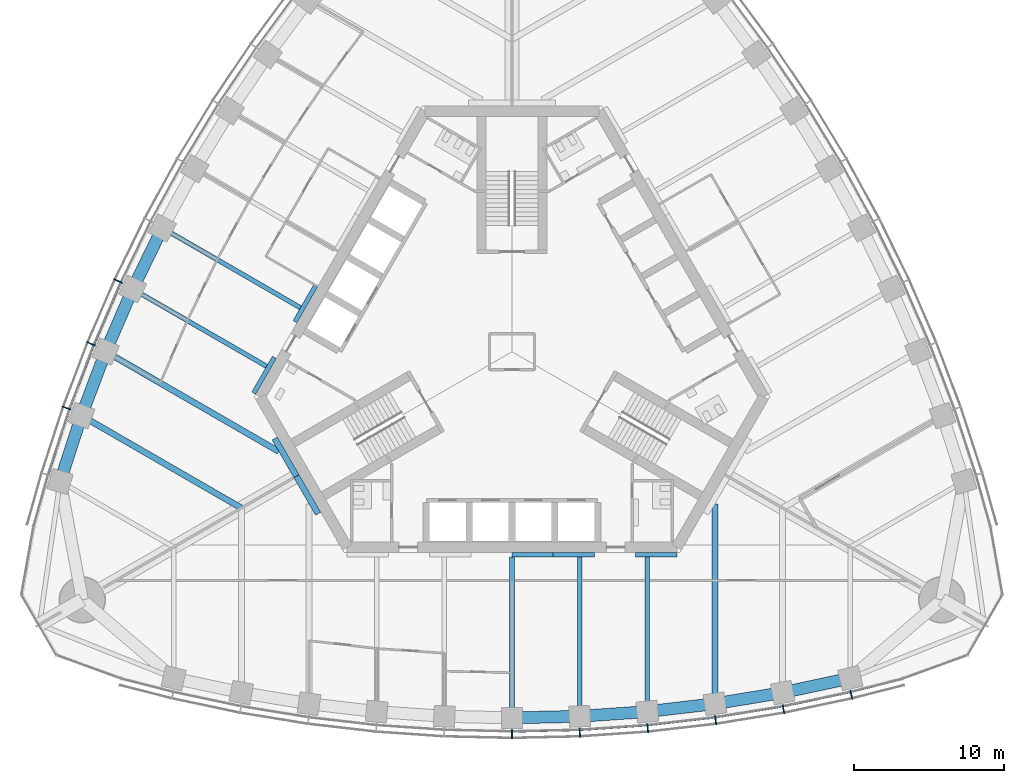
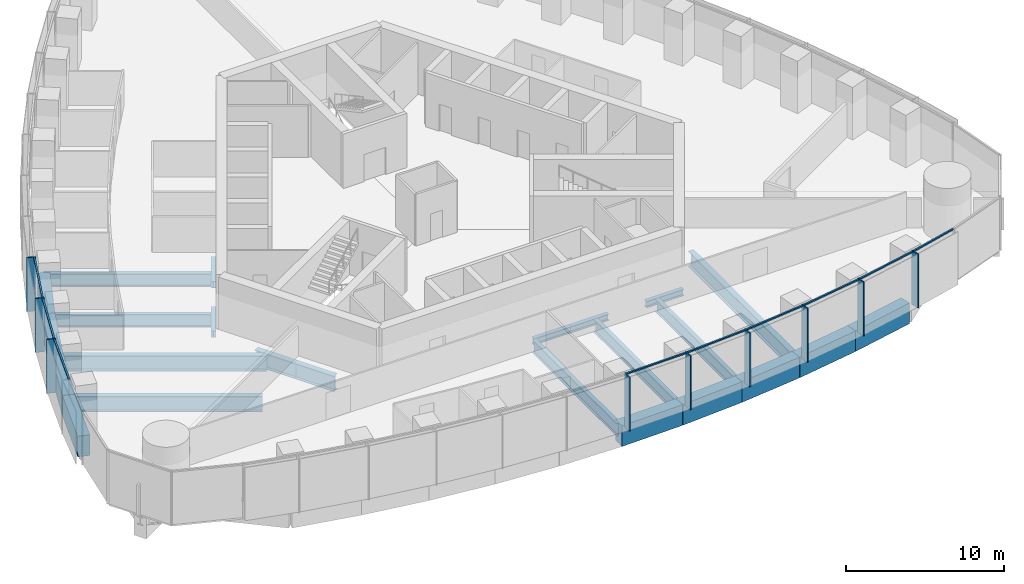
# One storey, part 3 of 19: 24 beams, 18 members, 2 elements without a shape of their own.
"""IFC4 building model written with IfcOpenShell, lengths in metres."""

from ifc_helpers import new_model, si_unit, direction, frame, origin, origin_2d, place, context, subcontext, project, spatial, rectangle, i_section, extrude, material, material_profile, profile_set, type_object, element, aggregate, save


model = new_model("IFC4")

# Units and contexts
model_context = context("Model", 3, precision=1e-05, world=origin(), true_north=direction((0.0, 1.0)))
body_context = subcontext(model_context, "Body", "Model", "MODEL_VIEW")
ifc_project = project(units=[si_unit("LENGTHUNIT", "METRE"), si_unit("AREAUNIT", "SQUARE_METRE"), si_unit("VOLUMEUNIT", "CUBIC_METRE"), si_unit("PLANEANGLEUNIT", "RADIAN"), si_unit("MASSUNIT", "GRAM", prefix="KILO")], contexts=[model_context])

# Site, building, storey
site_placement = place(None, origin())
site = spatial("IfcSite", under=ifc_project, at=site_placement, CompositionType="ELEMENT")
building_placement = place(site_placement, origin())
building = spatial("IfcBuilding", under=site, at=building_placement, Name="Trefoil Bronze Tower", CompositionType="ELEMENT")
storey_placement = place(building_placement, frame((0.0, 0.0, 244.300048828125)))
storey = spatial("IfcBuildingStorey", under=building, at=storey_placement, Name="L56", CompositionType="ELEMENT", Elevation=244.300048828125)

# Curtain wall, members
ifc_material_1 = material(Name="Tinted solar-control glass", Category="glass")
curtain_wall_type = type_object("IfcCurtainWallType", Name="Bronze office curtain wall", PredefinedType="USERDEFINED", material=ifc_material_1)
curtain_wall_1_placement = place(storey_placement, origin())
curtain_wall_1 = element("IfcCurtainWall", 1, at=curtain_wall_1_placement, inside=storey, type_object=curtain_wall_type, Name="CW-A L56 F1", ObjectType="CURTAIN WALL", PredefinedType="USERDEFINED")
ifc_material_2 = material(Name="Bronze-finish aluminium", Category="aluminium")
ifc_material_profile_1 = material_profile(ifc_material_2, rectangle(XDim=0.60009765625, YDim=0.080078125, at=origin_2d()), Name="CW-A mullion")
ifc_profile_set_1 = profile_set([ifc_material_profile_1], Name="Bronze-finish aluminium")
member_type_1 = type_object("IfcMemberType", Name="Bronze office curtain wall mullion", PredefinedType="MULLION", material=ifc_profile_set_1)
member_1_placement = place(storey_placement, frame((0.0, -25.45068359375, 0.0), z_axis=(0.0, 0.0, 1.0), x_axis=(0.0, 1.0, 0.0)))
member_1 = element("IfcMember", 2, at=member_1_placement, type_object=member_type_1, Name="CW-A L56 F1 mullion 7", PredefinedType="MULLION", context=body_context, shape_type="SweptSolid", body=[
    extrude(rectangle(XDim=0.60009765625, YDim=0.080078125, at=origin_2d()), origin(), (0.0, 0.0, 1.0), 4.179931640625),
])
member_2_placement = place(storey_placement, frame((4.513671875, -25.346923828125, 0.0), z_axis=(0.0, 0.0, 1.0), x_axis=(-0.045955542372, 0.998943485952, 0.0)))
member_2 = element("IfcMember", 3, at=member_2_placement, type_object=member_type_1, Name="CW-A L56 F1 mullion 8", PredefinedType="MULLION", context=body_context, shape_type="SweptSolid", body=[
    extrude(rectangle(XDim=0.60009765625, YDim=0.080078125, at=origin_2d()), origin(), (0.0, 0.0, 1.0), 4.179931640625),
])
member_3_placement = place(storey_placement, frame((9.027587890625, -25.03515625, 0.0), z_axis=(0.0, 0.0, 1.0), x_axis=(-0.091911396394, 0.995767189263, 0.0)))
member_3 = element("IfcMember", 4, at=member_3_placement, type_object=member_type_1, Name="CW-A L56 F1 mullion 9", PredefinedType="MULLION", context=body_context, shape_type="SweptSolid", body=[
    extrude(rectangle(XDim=0.60009765625, YDim=0.080078125, at=origin_2d()), origin(), (0.0, 0.0, 1.0), 4.179931640625),
])
member_4_placement = place(storey_placement, frame((13.541259765625, -24.51318359375, 0.0), z_axis=(0.0, 0.0, 1.0), x_axis=(-0.137867887204, 0.990450627582, 0.0)))
member_4 = element("IfcMember", 5, at=member_4_placement, type_object=member_type_1, Name="CW-A L56 F1 mullion 10", PredefinedType="MULLION", context=body_context, shape_type="SweptSolid", body=[
    extrude(rectangle(XDim=0.60009765625, YDim=0.080078125, at=origin_2d()), origin(), (0.0, 0.0, 1.0), 4.179931640625),
])
member_5_placement = place(storey_placement, frame((18.05517578125, -23.77783203125, 0.0), z_axis=(0.0, 0.0, 1.0), x_axis=(-0.183825368167, 0.982958917767, 0.0)))
member_5 = element("IfcMember", 6, at=member_5_placement, type_object=member_type_1, Name="CW-A L56 F1 mullion 11", PredefinedType="MULLION", context=body_context, shape_type="SweptSolid", body=[
    extrude(rectangle(XDim=0.60009765625, YDim=0.080078125, at=origin_2d()), origin(), (0.0, 0.0, 1.0), 4.179931640625),
])
member_6_placement = place(storey_placement, frame((22.568115234375, -22.82421875, 0.0), z_axis=(0.0, 0.0, 1.0), x_axis=(-0.227082662569, 0.973875487093, 0.0)))
member_6 = element("IfcMember", 7, at=member_6_placement, type_object=member_type_1, Name="CW-A L56 F1 mullion 12", PredefinedType="MULLION", context=body_context, shape_type="SweptSolid", body=[
    extrude(rectangle(XDim=0.60009765625, YDim=0.080078125, at=origin_2d()), origin(), (0.0, 0.0, 1.0), 4.179931640625),
])

curtain_wall_2_placement = place(storey_placement, origin())
curtain_wall_2 = element("IfcCurtainWall", 8, at=curtain_wall_2_placement, inside=storey, type_object=curtain_wall_type, Name="CW-A L56 F3", ObjectType="CURTAIN WALL", PredefinedType="USERDEFINED")
member_7_placement = place(storey_placement, frame((-26.19482421875, 4.699462890625, 0.0), z_axis=(0.0, 0.0, 1.0), x_axis=(0.908315380354, -0.418285990457, 0.0)))
member_7 = element("IfcMember", 9, at=member_7_placement, type_object=member_type_1, Name="CW-A L56 F3 mullion 9", PredefinedType="MULLION", context=body_context, shape_type="SweptSolid", body=[
    extrude(rectangle(XDim=0.60009765625, YDim=0.080078125, at=origin_2d()), origin(), (0.0, 0.0, 1.0), 4.179931640625),
])
member_8_placement = place(storey_placement, frame((-27.999755859375, 0.529541015625, 0.0), z_axis=(0.0, 0.0, 1.0), x_axis=(0.926689348282, -0.375828221106, 0.0)))
member_8 = element("IfcMember", 10, at=member_8_placement, type_object=member_type_1, Name="CW-A L56 F3 mullion 10", PredefinedType="MULLION", context=body_context, shape_type="SweptSolid", body=[
    extrude(rectangle(XDim=0.60009765625, YDim=0.080078125, at=origin_2d()), origin(), (0.0, 0.0, 1.0), 4.179931640625),
])
member_9_placement = place(storey_placement, frame((-29.619873046875, -3.747314453125, 0.0), z_axis=(0.0, 0.0, 1.0), x_axis=(0.943180077746, -0.332282020191, 0.0)))
member_9 = element("IfcMember", 11, at=member_9_placement, type_object=member_type_1, Name="CW-A L56 F3 mullion 11", PredefinedType="MULLION", context=body_context, shape_type="SweptSolid", body=[
    extrude(rectangle(XDim=0.60009765625, YDim=0.080078125, at=origin_2d()), origin(), (0.0, 0.0, 1.0), 4.179931640625),
])

# Member
ifc_material_3 = material(Name="Bronze-finish aluminium", Category="aluminium")
ifc_material_profile_2 = material_profile(ifc_material_3, rectangle(XDim=0.1201171875, YDim=0.10009765625, at=origin_2d()), Name="CW-A transom")
ifc_profile_set_2 = profile_set([ifc_material_profile_2], Name="Bronze-finish aluminium")
member_type_2 = type_object("IfcMemberType", Name="Bronze office curtain wall transom", PredefinedType="USERDEFINED", material=ifc_profile_set_2)
member_10_placement = place(storey_placement, frame((0.042236328125, -25.249755859375, 4.1298828125), z_axis=(0.999736131416, 0.022971015226, 0.0), x_axis=(-0.022971015226, 0.999736131416, 0.0)))
member_10 = element("IfcMember", 12, at=member_10_placement, type_object=member_type_2, Name="CW-A L56 F1 transom 7", ObjectType="TRANSOM", PredefinedType="USERDEFINED", context=body_context, shape_type="SweptSolid", body=[
    extrude(rectangle(XDim=0.1201171875, YDim=0.10009765625, at=origin_2d()), origin(), (0.0, 0.0, 1.0), 4.42138671875),
])

member_11_placement = place(storey_placement, frame((4.546875, -25.144287109375, 4.1298828125), z_axis=(0.997621320987, 0.06893257512, 0.0), x_axis=(-0.06893257512, 0.997621320987, 0.0)))
member_11 = element("IfcMember", 13, at=member_11_placement, type_object=member_type_2, Name="CW-A L56 F1 transom 8", ObjectType="TRANSOM", PredefinedType="USERDEFINED", context=body_context, shape_type="SweptSolid", body=[
    extrude(rectangle(XDim=0.1201171875, YDim=0.10009765625, at=origin_2d()), origin(), (0.0, 0.0, 1.0), 4.4306640625),
])

member_12_placement = place(storey_placement, frame((9.05126953125, -24.8310546875, 4.1298828125), z_axis=(0.993384885596, 0.114832352013, 0.0), x_axis=(-0.114832352013, 0.993384885596, 0.0)))
member_12 = element("IfcMember", 14, at=member_12_placement, type_object=member_type_2, Name="CW-A L56 F1 transom 9", ObjectType="TRANSOM", PredefinedType="USERDEFINED", context=body_context, shape_type="SweptSolid", body=[
    extrude(rectangle(XDim=0.1201171875, YDim=0.10009765625, at=origin_2d()), origin(), (0.0, 0.0, 1.0), 4.449951171875),
])

member_13_placement = place(storey_placement, frame((13.5556640625, -24.308349609375, 4.1298828125), z_axis=(0.986988367046, 0.160791676761, 0.0), x_axis=(-0.160791676761, 0.986988367046, 0.0)))
member_13 = element("IfcMember", 15, at=member_13_placement, type_object=member_type_2, Name="CW-A L56 F1 transom 10", ObjectType="TRANSOM", PredefinedType="USERDEFINED", context=body_context, shape_type="SweptSolid", body=[
    extrude(rectangle(XDim=0.1201171875, YDim=0.10009765625, at=origin_2d()), origin(), (0.0, 0.0, 1.0), 4.479248046875),
])

member_14_placement = place(storey_placement, frame((18.059814453125, -23.572509765625, 4.1298828125), z_axis=(0.978395325657, 0.20674280334, 0.0), x_axis=(-0.20674280334, 0.978395325657, 0.0)))
member_14 = element("IfcMember", 16, at=member_14_placement, type_object=member_type_2, Name="CW-A L56 F1 transom 11", ObjectType="TRANSOM", PredefinedType="USERDEFINED", context=body_context, shape_type="SweptSolid", body=[
    extrude(rectangle(XDim=0.1201171875, YDim=0.10009765625, at=origin_2d()), origin(), (0.0, 0.0, 1.0), 4.519287109375),
])

member_15_placement = place(storey_placement, frame((22.5634765625, -22.618896484375, 4.1298828125), z_axis=(0.968935220916, 0.247314653162, 0.0), x_axis=(-0.247314653162, 0.968935220916, 0.0)))
member_15 = element("IfcMember", 17, at=member_15_placement, type_object=member_type_2, Name="CW-A L56 F1 transom 12", ObjectType="TRANSOM", PredefinedType="USERDEFINED", context=body_context, shape_type="SweptSolid", body=[
    extrude(rectangle(XDim=0.1201171875, YDim=0.10009765625, at=origin_2d()), origin(), (0.0, 0.0, 1.0), 3.483642578125),
])

aggregate(curtain_wall_1, [member_1, member_2, member_3, member_4, member_5, member_6, member_10, member_11, member_12, member_13, member_14, member_15])

member_16_placement = place(storey_placement, frame((-26.030029296875, 4.576904296875, 4.1298828125), z_axis=(-0.397220936772, -0.917723012346, 0.0), x_axis=(0.917723012346, -0.397220936772, 0.0)))
member_16 = element("IfcMember", 18, at=member_16_placement, type_object=member_type_2, Name="CW-A L56 F3 transom 9", ObjectType="TRANSOM", PredefinedType="USERDEFINED", context=body_context, shape_type="SweptSolid", body=[
    extrude(rectangle(XDim=0.1201171875, YDim=0.10009765625, at=origin_2d()), origin(), (0.0, 0.0, 1.0), 4.449951171875),
])

member_17_placement = place(storey_placement, frame((-27.829345703125, 0.414794921875, 4.1298828125), z_axis=(-0.354263170896, -0.935145767112, 0.0), x_axis=(0.935145767112, -0.354263170896, 0.0)))
member_17 = element("IfcMember", 19, at=member_17_placement, type_object=member_type_2, Name="CW-A L56 F3 transom 10", ObjectType="TRANSOM", PredefinedType="USERDEFINED", context=body_context, shape_type="SweptSolid", body=[
    extrude(rectangle(XDim=0.1201171875, YDim=0.10009765625, at=origin_2d()), origin(), (0.0, 0.0, 1.0), 4.4794921875),
])

member_18_placement = place(storey_placement, frame((-29.4443359375, -3.85400390625, 4.1298828125), z_axis=(-0.310127806788, -0.950694874004, 0.0), x_axis=(0.950694874004, -0.310127806788, 0.0)))
member_18 = element("IfcMember", 20, at=member_18_placement, type_object=member_type_2, Name="CW-A L56 F3 transom 11", ObjectType="TRANSOM", PredefinedType="USERDEFINED", context=body_context, shape_type="SweptSolid", body=[
    extrude(rectangle(XDim=0.1201171875, YDim=0.10009765625, at=origin_2d()), origin(), (0.0, 0.0, 1.0), 4.51953125),
])

aggregate(curtain_wall_2, [member_7, member_8, member_9, member_16, member_17, member_18])

# Beams
ifc_material_4 = material(Name="Steel C355", Category="steel")
ifc_material_profile_3 = material_profile(ifc_material_4, i_section(OverallWidth=0.300048828125, OverallDepth=0.5, WebThickness=0.014404296875, FlangeThickness=0.028076171875, FilletRadius=0.027099609375, at=origin_2d()), Name="HEB 500")
ifc_profile_set_3 = profile_set([ifc_material_profile_3], Name="Steel C355")
beam_type_1 = type_object("IfcBeamType", Name="Core seat beam HEB 500", PredefinedType="BEAM", material=ifc_profile_set_3)
for number, where, z_axis, x_axis, name in (
    (21, (0.0, -13.5, -0.449951171875), (1.0, 0.0, 0.0), (0.0, 1.0, 0.0), "Core seat beam F1/+0 L56"),
    (22, (2.742431640625, -13.5, -0.449951171875), (1.0, 0.0, 0.0), (0.0, 1.0, 0.0), "Core seat beam F1/+1 L56"),
    (23, (8.227294921875, -13.5, -0.449951171875), (1.0, 0.0, 0.0), (0.0, 1.0, 0.0), "Core seat beam F1/+2 L56"),
    (24, (-13.0625, 4.375, -0.449951171875), (-0.500035825175, -0.866004719122, 0.0), (0.866004719122, -0.500035825175, 0.0), "Core seat beam F3/+1 L56"),
    (25, (-15.804931640625, -0.375, -0.449951171875), (-0.500035825175, -0.866004719122, 0.0), (0.866004719122, -0.500035825175, 0.0), "Core seat beam F3/+2 L56"),
):
    element("IfcBeam", number, at=place(storey_placement, frame(where, z_axis=z_axis, x_axis=x_axis)), inside=storey, type_object=beam_type_1, Name=name, PredefinedType="BEAM", context=body_context, shape_type="SweptSolid", body=[
        extrude(i_section(OverallWidth=0.300048828125, OverallDepth=0.5, WebThickness=0.014404296875, FlangeThickness=0.028076171875, FilletRadius=0.027099609375, at=origin_2d()), origin(), (0.0, 0.0, 1.0), 2.742431640625),
    ])
ifc_material_5 = material(Name="Steel C355", Category="steel")
ifc_material_profile_4 = material_profile(ifc_material_5, i_section(OverallWidth=0.39990234375, OverallDepth=1.199951171875, WebThickness=0.02001953125, FlangeThickness=0.0400390625, FilletRadius=0.010009765625, at=origin_2d()), Name="WPG 1200")
ifc_profile_set_4 = profile_set([ifc_material_profile_4], Name="Steel C355")
beam_type_2 = type_object("IfcBeamType", Name="Core seat beam WPG 1200", PredefinedType="BEAM", material=ifc_profile_set_4)
for number, where, z_axis, x_axis, name in (
    (26, (-14.332763671875, -8.27490234375, -0.800048828125), (0.499995765644, -0.866027848477, 0.0), (0.866027848477, 0.499995765644, 0.0), "Core seat beam F1/-3 L56"),
    (27, (-15.776123046875, -5.77490234375, -0.800048828125), (0.499995765644, -0.866027848477, 0.0), (0.866027848477, 0.499995765644, 0.0), "Core seat beam F3/+3 L56"),
):
    element("IfcBeam", number, at=place(storey_placement, frame(where, z_axis=z_axis, x_axis=x_axis)), inside=storey, type_object=beam_type_2, Name=name, PredefinedType="BEAM", context=body_context, shape_type="SweptSolid", body=[
        extrude(i_section(OverallWidth=0.39990234375, OverallDepth=1.199951171875, WebThickness=0.02001953125, FlangeThickness=0.0400390625, FilletRadius=0.010009765625, at=origin_2d()), origin(), (0.0, 0.0, 1.0), 2.88671875),
    ])
ifc_material_6 = material(Name="Steel C355", Category="steel")
ifc_material_profile_5 = material_profile(ifc_material_6, i_section(OverallWidth=0.300048828125, OverallDepth=1.0, WebThickness=0.01904296875, FlangeThickness=0.035888671875, FilletRadius=0.030029296875, at=origin_2d()), Name="HEB 1000")
ifc_profile_set_5 = profile_set([ifc_material_profile_5], Name="Steel C355")
beam_type_3 = type_object("IfcBeamType", Name="Floor beam HEB 1000", PredefinedType="BEAM", material=ifc_profile_set_5)
for number, where, z_axis, x_axis, name in (
    (28, (9.0, -23.932861328125, -0.699951171875), (0.0, 1.0, 0.0), (-1.0, 0.0, 0.0), "Floor beam F1/+2 L56"),
    (29, (-25.2265625, 4.17236328125, -0.699951171875), (0.866019527493, -0.500010177898, 0.0), (0.500010177898, 0.866019527493, 0.0), "Floor beam F3/+2 L56"),
):
    element("IfcBeam", number, at=place(storey_placement, frame(where, z_axis=z_axis, x_axis=x_axis)), inside=storey, type_object=beam_type_3, Name=name, PredefinedType="BEAM", context=body_context, shape_type="SweptSolid", body=[
        extrude(i_section(OverallWidth=0.300048828125, OverallDepth=1.0, WebThickness=0.01904296875, FlangeThickness=0.035888671875, FilletRadius=0.030029296875, at=origin_2d()), origin(), (0.0, 0.0, 1.0), 10.282958984375),
    ])
ifc_material_7 = material(Name="Steel C355", Category="steel")
ifc_material_profile_6 = material_profile(ifc_material_7, i_section(OverallWidth=0.302001953125, OverallDepth=1.008056640625, WebThickness=0.02099609375, FlangeThickness=0.0400390625, FilletRadius=0.030029296875, at=origin_2d()), Name="HEM 1000")
ifc_profile_set_6 = profile_set([ifc_material_profile_6], Name="Steel C355")
beam_type_4 = type_object("IfcBeamType", Name="Floor beam HEM 1000", PredefinedType="BEAM", material=ifc_profile_set_6)
beam_1_placement = place(storey_placement, frame((0.0, -24.3505859375, -0.7041015625), z_axis=(0.0, 1.0, 0.0), x_axis=(-1.0, 0.0, 0.0)))
element("IfcBeam", 30, at=beam_1_placement, inside=storey, type_object=beam_type_4, Name="Floor beam F1/+0 L56", PredefinedType="BEAM", context=body_context, shape_type="SweptSolid", body=[
    extrude(i_section(OverallWidth=0.302001953125, OverallDepth=1.008056640625, WebThickness=0.02099609375, FlangeThickness=0.0400390625, FilletRadius=0.030029296875, at=origin_2d()), origin(), (0.0, 0.0, 1.0), 10.70068359375),
])
for number, where, z_axis, x_axis, name in (
    (31, (4.5, -24.246337890625, -0.7041015625), (0.0, 1.0, 0.0), (-1.0, 0.0, 0.0), "Floor beam F1/+1 L56"),
    (32, (-23.248046875, 8.22607421875, -0.7041015625), (0.86602981261, -0.499992363612, 0.0), (0.499992363612, 0.86602981261, 0.0), "Floor beam F3/+1 L56"),
):
    element("IfcBeam", number, at=place(storey_placement, frame(where, z_axis=z_axis, x_axis=x_axis)), inside=storey, type_object=beam_type_4, Name=name, PredefinedType="BEAM", context=body_context, shape_type="SweptSolid", body=[
        extrude(i_section(OverallWidth=0.302001953125, OverallDepth=1.008056640625, WebThickness=0.02099609375, FlangeThickness=0.0400390625, FilletRadius=0.030029296875, at=origin_2d()), origin(), (0.0, 0.0, 1.0), 10.596435546875),
    ])
ifc_material_8 = material(Name="Steel C355", Category="steel")
ifc_material_profile_7 = material_profile(ifc_material_8, i_section(OverallWidth=0.39990234375, OverallDepth=1.199951171875, WebThickness=0.02001953125, FlangeThickness=0.0400390625, FilletRadius=0.010009765625, at=origin_2d()), Name="WPG 1200")
ifc_profile_set_7 = profile_set([ifc_material_profile_7], Name="Steel C355")
beam_type_5 = type_object("IfcBeamType", Name="Floor beam WPG 1200", PredefinedType="BEAM", material=ifc_profile_set_7)
for number, where, z_axis, x_axis, name in (
    (33, (13.5, -23.408447265625, -0.800048828125), (0.0, 1.0, 0.0), (-1.0, 0.0, 0.0), "Floor beam F1/+3 L56"),
    (34, (-27.022216796875, 0.012939453125, -0.800048828125), (0.866023461342, -0.500003364394, 0.0), (0.500003364394, 0.866023461342, 0.0), "Floor beam F3/+3 L56"),
):
    element("IfcBeam", number, at=place(storey_placement, frame(where, z_axis=z_axis, x_axis=x_axis)), inside=storey, type_object=beam_type_5, Name=name, PredefinedType="BEAM", context=body_context, shape_type="SweptSolid", body=[
        extrude(i_section(OverallWidth=0.39990234375, OverallDepth=1.199951171875, WebThickness=0.02001953125, FlangeThickness=0.0400390625, FilletRadius=0.010009765625, at=origin_2d()), origin(), (0.0, 0.0, 1.0), 13.291015625),
    ])
beam_2_placement = place(storey_placement, frame((-28.632080078125, -4.25390625, -0.800048828125), z_axis=(0.866025635187, -0.499999599199, 0.0), x_axis=(0.499999599199, 0.866025635187, 0.0)))
element("IfcBeam", 35, at=beam_2_placement, inside=storey, type_object=beam_type_5, Name="Floor beam F3/+4 L56", PredefinedType="BEAM", context=body_context, shape_type="SweptSolid", body=[
    extrude(i_section(OverallWidth=0.39990234375, OverallDepth=1.199951171875, WebThickness=0.02001953125, FlangeThickness=0.0400390625, FilletRadius=0.010009765625, at=origin_2d()), origin(), (0.0, 0.0, 1.0), 12.27685546875),
])
ifc_material_9 = material(Name="Concrete B80", Category="concrete")
ifc_material_profile_8 = material_profile(ifc_material_9, rectangle(XDim=0.800048828125, YDim=1.60009765625, at=origin_2d()), Name="RC 800x1600")
ifc_profile_set_8 = profile_set([ifc_material_profile_8], Name="Concrete B80")
beam_type_6 = type_object("IfcBeamType", Name="Spandrel beam RC 800x1600", PredefinedType="SPANDREL", material=ifc_profile_set_8)
beam_3_placement = place(storey_placement, frame((0.0, -24.3505859375, -1.0), z_axis=(0.999731770792, 0.023160018779, 0.0), x_axis=(-0.023160018779, 0.999731770792, 0.0)))
element("IfcBeam", 36, at=beam_3_placement, inside=storey, type_object=beam_type_6, Name="Spandrel F1.7 L56", PredefinedType="SPANDREL", context=body_context, shape_type="SweptSolid", body=[
    extrude(rectangle(XDim=0.800048828125, YDim=1.60009765625, at=origin_2d()), origin(), (0.0, 0.0, 1.0), 4.501220703125),
])
beam_4_placement = place(storey_placement, frame((4.5, -24.246337890625, -1.0), z_axis=(0.997582435881, 0.069493047291, 0.0), x_axis=(-0.069493047291, 0.997582435881, 0.0)))
element("IfcBeam", 37, at=beam_4_placement, inside=storey, type_object=beam_type_6, Name="Spandrel F1.8 L56", PredefinedType="SPANDREL", context=body_context, shape_type="SweptSolid", body=[
    extrude(rectangle(XDim=0.800048828125, YDim=1.60009765625, at=origin_2d()), origin(), (0.0, 0.0, 1.0), 4.510986328125),
])
beam_5_placement = place(storey_placement, frame((9.0, -23.932861328125, -1.0), z_axis=(0.993278017132, 0.115753102257, 0.0), x_axis=(-0.115753102257, 0.993278017132, 0.0)))
element("IfcBeam", 38, at=beam_5_placement, inside=storey, type_object=beam_type_6, Name="Spandrel F1.9 L56", PredefinedType="SPANDREL", context=body_context, shape_type="SweptSolid", body=[
    extrude(rectangle(XDim=0.800048828125, YDim=1.60009765625, at=origin_2d()), origin(), (0.0, 0.0, 1.0), 4.530517578125),
])
beam_6_placement = place(storey_placement, frame((13.5, -23.408447265625, -1.0), z_axis=(0.986764681833, 0.162158757664, 0.0), x_axis=(-0.162158757664, 0.986764681833, 0.0)))
element("IfcBeam", 39, at=beam_6_placement, inside=storey, type_object=beam_type_6, Name="Spandrel F1.10 L56", PredefinedType="SPANDREL", context=body_context, shape_type="SweptSolid", body=[
    extrude(rectangle(XDim=0.800048828125, YDim=1.60009765625, at=origin_2d()), origin(), (0.0, 0.0, 1.0), 4.560302734375),
])
beam_7_placement = place(storey_placement, frame((18.0, -22.6689453125, -1.0), z_axis=(0.978059483036, 0.208325820877, 0.0), x_axis=(-0.208325820877, 0.978059483036, 0.0)))
element("IfcBeam", 40, at=beam_7_placement, inside=storey, type_object=beam_type_6, Name="Spandrel F1.11 L56", PredefinedType="SPANDREL", context=body_context, shape_type="SweptSolid", body=[
    extrude(rectangle(XDim=0.800048828125, YDim=1.60009765625, at=origin_2d()), origin(), (0.0, 0.0, 1.0), 4.600830078125),
])
beam_8_placement = place(storey_placement, frame((-23.248046875, 8.22607421875, -1.0), z_axis=(-0.438619830351, -0.898672712629, 0.0), x_axis=(0.898672712629, -0.438619830351, 0.0)))
element("IfcBeam", 41, at=beam_8_placement, inside=storey, type_object=beam_type_6, Name="Spandrel F3.8 L56", PredefinedType="SPANDREL", context=body_context, shape_type="SweptSolid", body=[
    extrude(rectangle(XDim=0.800048828125, YDim=1.60009765625, at=origin_2d()), origin(), (0.0, 0.0, 1.0), 4.5107421875),
])
beam_9_placement = place(storey_placement, frame((-25.2265625, 4.17236328125, -1.0), z_axis=(-0.396350337164, -0.918099346602, 0.0), x_axis=(0.918099346602, -0.396350337164, 0.0)))
element("IfcBeam", 42, at=beam_9_placement, inside=storey, type_object=beam_type_6, Name="Spandrel F3.9 L56", PredefinedType="SPANDREL", context=body_context, shape_type="SweptSolid", body=[
    extrude(rectangle(XDim=0.800048828125, YDim=1.60009765625, at=origin_2d()), origin(), (0.0, 0.0, 1.0), 4.530517578125),
])
beam_10_placement = place(storey_placement, frame((-27.022216796875, 0.012939453125, -1.0), z_axis=(-0.353005969632, -0.935621069346, 0.0), x_axis=(0.935621069346, -0.353005969632, 0.0)))
element("IfcBeam", 43, at=beam_10_placement, inside=storey, type_object=beam_type_6, Name="Spandrel F3.10 L56", PredefinedType="SPANDREL", context=body_context, shape_type="SweptSolid", body=[
    extrude(rectangle(XDim=0.800048828125, YDim=1.60009765625, at=origin_2d()), origin(), (0.0, 0.0, 1.0), 4.560546875),
])
beam_11_placement = place(storey_placement, frame((-28.632080078125, -4.25390625, -1.0), z_axis=(-0.308608505504, -0.951189145402, 0.0), x_axis=(0.951189145402, -0.308608505504, 0.0)))
element("IfcBeam", 44, at=beam_11_placement, inside=storey, type_object=beam_type_6, Name="Spandrel F3.11 L56", PredefinedType="SPANDREL", context=body_context, shape_type="SweptSolid", body=[
    extrude(rectangle(XDim=0.800048828125, YDim=1.60009765625, at=origin_2d()), origin(), (0.0, 0.0, 1.0), 4.60107421875),
])

save(model, "model.ifc")
